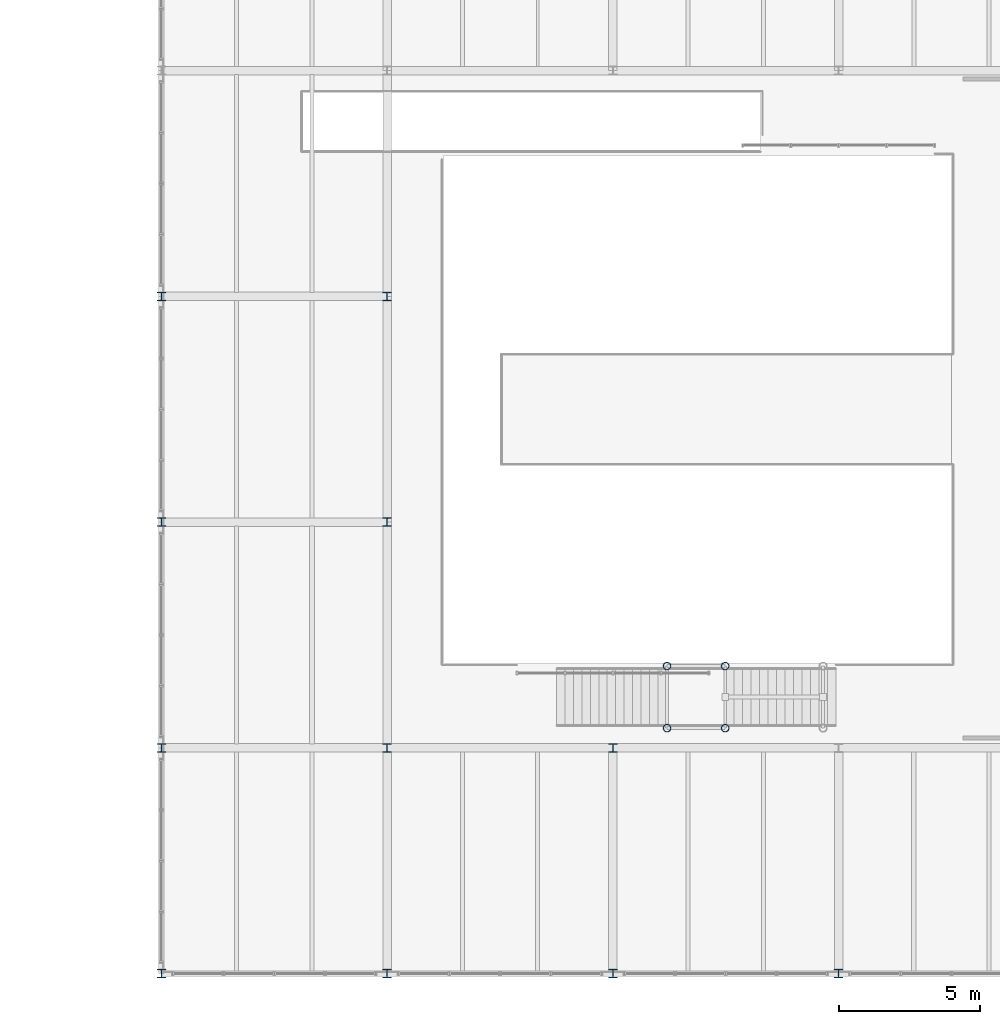
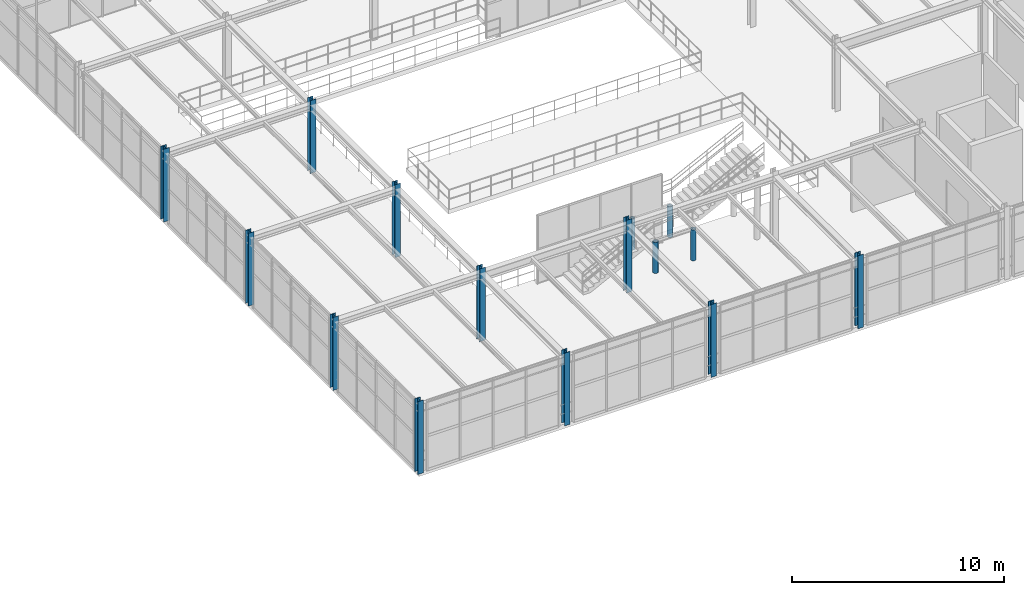
# One storey, part 2 of 124: 15 columns.
"""IFC4 building model written with IfcOpenShell, lengths in metres."""

from ifc_helpers import new_model, si_unit, direction, frame, origin, origin_2d, place, context, subcontext, project, spatial, hollow_circle, i_section, extrude, material, material_profile, profile_set, type_object, element, save


model = new_model("IFC4")

# Units and contexts
model_context = context("Model", 3, precision=1e-05, world=origin(), true_north=direction((0.0, 1.0)))
body_context = subcontext(model_context, "Body", "Model", "MODEL_VIEW")
ifc_project = project(units=[si_unit("LENGTHUNIT", "METRE"), si_unit("AREAUNIT", "SQUARE_METRE"), si_unit("VOLUMEUNIT", "CUBIC_METRE"), si_unit("PLANEANGLEUNIT", "RADIAN"), si_unit("MASSUNIT", "GRAM", prefix="KILO")], contexts=[model_context])

# Site, building, storey
site_placement = place(None, origin())
site = spatial("IfcSite", under=ifc_project, at=site_placement, CompositionType="ELEMENT")
building_placement = place(site_placement, origin())
building = spatial("IfcBuilding", under=site, at=building_placement, Name="Sundkrona Museum", CompositionType="ELEMENT")
storey_placement = place(building_placement, frame((0.0, 0.0, 17.60009765625)))
storey = spatial("IfcBuildingStorey", under=building, at=storey_placement, Name="L03", CompositionType="ELEMENT", Elevation=17.60009765625)

# Columns
ifc_material = material(Name="Steel S355J2", Category="steel")
ifc_material_profile_1 = material_profile(ifc_material, hollow_circle(Radius=0.136474609375, WallThickness=0.012451171875, at=origin_2d()), Name="CHS 273.0x12.5")
ifc_profile_set_1 = profile_set([ifc_material_profile_1], Name="Steel S355J2")
column_type_1 = type_object("IfcColumnType", Name="C-CHS273", PredefinedType="COLUMN", material=ifc_profile_set_1)
for number, where, z_axis, x_axis, name in (
    (1, (97.919921875, 8.699951171875, 0.0), (0.0, 0.0, 1.0), (1.0, 0.0, 0.0), "L03 Feature Stair FS-4 Column S1-1"),
    (2, (97.919921875, 10.89990234375, 0.0), (0.0, 0.0, 1.0), (1.0, 0.0, 0.0), "L03 Feature Stair FS-4 Column S1-2"),
    (3, (99.97998046875, 8.699951171875, 0.0), (0.0, 0.0, 1.0), (1.0, 0.0, 0.0), "L03 Feature Stair FS-4 Column S2-1"),
    (4, (99.97998046875, 10.89990234375, 0.0), (0.0, 0.0, 1.0), (1.0, 0.0, 0.0), "L03 Feature Stair FS-4 Column S2-2"),
):
    element("IfcColumn", number, at=place(storey_placement, frame(where, z_axis=z_axis, x_axis=x_axis)), inside=storey, type_object=column_type_1, Name=name, PredefinedType="COLUMN", context=body_context, shape_type="SweptSolid", body=[
        extrude(hollow_circle(Radius=0.136474609375, WallThickness=0.012451171875, at=origin_2d()), origin(), (0.0, 0.0, 1.0), 1.77978515625),
    ])
ifc_material_profile_2 = material_profile(ifc_material, i_section(OverallWidth=0.300048828125, OverallDepth=0.300048828125, WebThickness=0.010986328125, FlangeThickness=0.01904296875, FilletRadius=0.027099609375, at=origin_2d()), Name="HEB 300")
ifc_profile_set_2 = profile_set([ifc_material_profile_2], Name="Steel S355J2")
column_type_2 = type_object("IfcColumnType", Name="C-HEB300", PredefinedType="COLUMN", material=ifc_profile_set_2)
for number, where, z_axis, x_axis, name in (
    (5, (80.0, 0.0, 0.0), (0.0, 0.0, 1.0), (1.0, 0.0, 0.0), "L03 Column A/11"),
    (6, (80.0, 8.0, 0.0), (0.0, 0.0, 1.0), (1.0, 0.0, 0.0), "L03 Column B/11"),
    (7, (80.0, 16.0, 0.0), (0.0, 0.0, 1.0), (1.0, 0.0, 0.0), "L03 Column C/11"),
    (8, (80.0, 24.0, 0.0), (0.0, 0.0, 1.0), (1.0, 0.0, 0.0), "L03 Column D/11"),
    (9, (88.0, 0.0, 0.0), (0.0, 0.0, 1.0), (1.0, 0.0, 0.0), "L03 Column A/12"),
    (10, (88.0, 8.0, 0.0), (0.0, 0.0, 1.0), (1.0, 0.0, 0.0), "L03 Column B/12"),
    (11, (88.0, 16.0, 0.0), (0.0, 0.0, 1.0), (1.0, 0.0, 0.0), "L03 Column C/12"),
    (12, (88.0, 24.0, 0.0), (0.0, 0.0, 1.0), (1.0, 0.0, 0.0), "L03 Column D/12"),
    (13, (96.0, 0.0, 0.0), (0.0, 0.0, 1.0), (1.0, 0.0, 0.0), "L03 Column A/13"),
    (14, (96.0, 8.0, 0.0), (0.0, 0.0, 1.0), (1.0, 0.0, 0.0), "L03 Column B/13"),
    (15, (104.0, 0.0, 0.0), (0.0, 0.0, 1.0), (1.0, 0.0, 0.0), "L03 Column A/14"),
):
    element("IfcColumn", number, at=place(storey_placement, frame(where, z_axis=z_axis, x_axis=x_axis)), inside=storey, type_object=column_type_2, Name=name, PredefinedType="COLUMN", context=body_context, shape_type="SweptSolid", body=[
        extrude(i_section(OverallWidth=0.300048828125, OverallDepth=0.300048828125, WebThickness=0.010986328125, FlangeThickness=0.01904296875, FilletRadius=0.027099609375, at=origin_2d()), origin(), (0.0, 0.0, 1.0), 4.199951171875),
    ])

save(model, "model.ifc")
